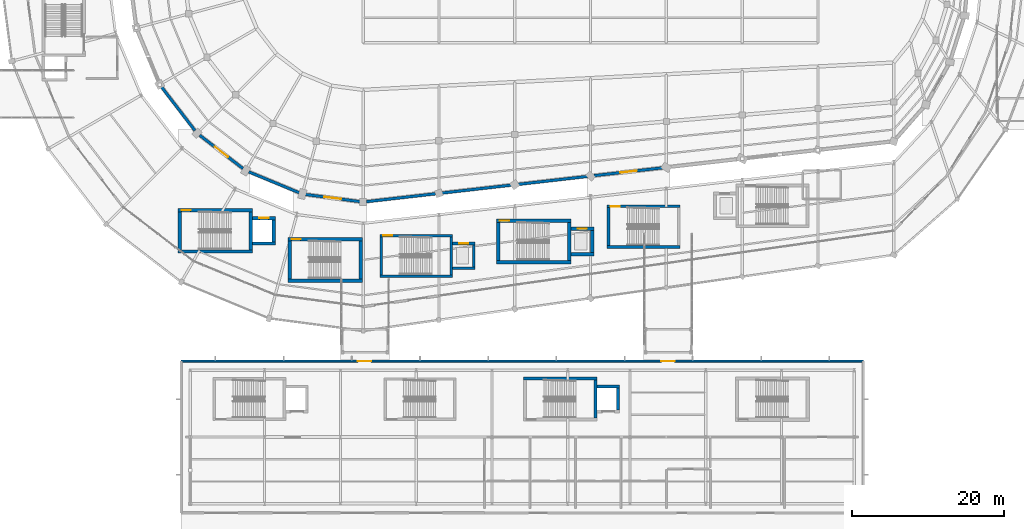
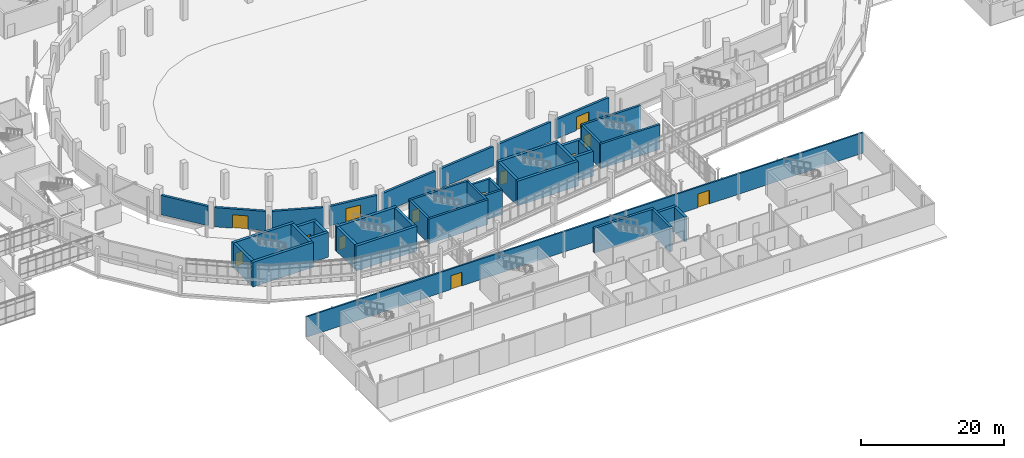
# One storey, part 102 of 122: 41 walls, 13 doors, 13 openings.
"""IFC4 building model written with IfcOpenShell, lengths in metres."""

from ifc_helpers import new_model, si_unit, direction, frame, frame_2d, origin, place, context, subcontext, project, spatial, rectangle, extrude, material, layer, layer_set, type_object, element, fill, save


model = new_model("IFC4")

# Units and contexts
model_context = context("Model", 3, precision=1e-05, world=origin(), true_north=direction((0.0, 1.0)))
body_context = subcontext(model_context, "Body", "Model", "MODEL_VIEW")
ifc_project = project(units=[si_unit("LENGTHUNIT", "METRE"), si_unit("AREAUNIT", "SQUARE_METRE"), si_unit("VOLUMEUNIT", "CUBIC_METRE"), si_unit("PLANEANGLEUNIT", "RADIAN"), si_unit("MASSUNIT", "GRAM", prefix="KILO")], contexts=[model_context])

# Site, building, storey
site_placement = place(None, origin())
site = spatial("IfcSite", under=ifc_project, at=site_placement, CompositionType="ELEMENT")
building_placement = place(site_placement, origin())
building = spatial("IfcBuilding", under=site, at=building_placement, Name="Sohan Crest Arena", CompositionType="ELEMENT")
storey_placement = place(building_placement, origin())
storey = spatial("IfcBuildingStorey", under=building, at=storey_placement, Name="L00", CompositionType="ELEMENT", Elevation=0.0)

# Wall, openings, doors
ifc_material_1 = material(Name="Margalla limestone ashlar envelope wall", Category="masonry")
ifc_layer_1 = layer(ifc_material_1, 0.260009765625, Name="Margalla limestone ashlar envelope wall")
ifc_layer_set_1 = layer_set([ifc_layer_1], Name="Margalla limestone ashlar envelope wall")
wall_type_1 = type_object("IfcWallType", Name="WAL-EW01", PredefinedType="SOLIDWALL", material=ifc_layer_set_1)
wall_1_placement = place(storey_placement, frame((164.0, 26.0, 0.0), z_axis=(0.0, 0.0, 1.0), x_axis=(-1.0, 0.0, 0.0)))
wall_1 = element("IfcWall", 1, at=wall_1_placement, inside=storey, type_object=wall_type_1, Name="External wall EW-128", PredefinedType="SOLIDWALL", context=body_context, shape_type="SweptSolid", body=[
    extrude(rectangle(XDim=90.0, YDim=0.260009765625, at=frame_2d((45.0, 0.0))), origin(), (0.0, 0.0, 1.0), 3.5),
])
opening_1_placement = place(wall_1_placement, frame((64.89990234375, 0.0, 0.0)))
opening_1 = element("IfcOpeningElement", 2, at=opening_1_placement, cuts=wall_1, Name="Opening V5B-L00-98", PredefinedType="OPENING", context=body_context, shape_type="SweptSolid", body=[
    extrude(rectangle(XDim=1.800048828125, YDim=2.35009765625, at=frame_2d((0.89990234375, 1.175048828125))), frame((0.0, 0.139892578125, 0.0), z_axis=(0.0, -1.0, 0.0), x_axis=(1.0, 0.0, 0.0)), (0.0, 0.0, 1.0), 0.280029296875),
])
opening_2_placement = place(wall_1_placement, frame((24.89990234375, 0.0, 0.0)))
opening_2 = element("IfcOpeningElement", 3, at=opening_2_placement, cuts=wall_1, Name="Opening V5B-L00-138", PredefinedType="OPENING", context=body_context, shape_type="SweptSolid", body=[
    extrude(rectangle(XDim=1.800048828125, YDim=2.35009765625, at=frame_2d((0.89990234375, 1.175048828125))), frame((0.0, 0.139892578125, 0.0), z_axis=(0.0, -1.0, 0.0), x_axis=(1.0, 0.0, 0.0)), (0.0, 0.0, 1.0), 0.280029296875),
])
ifc_material_2 = material(Name="Glazed aluminium terrace access door", Category="aluminium")
door_type_1 = type_object("IfcDoorType", Name="DR-ED01", OperationType="DOUBLE_DOOR_SINGLE_SWING", PredefinedType="DOOR", material=ifc_material_2)
door_1_placement = place(opening_1_placement, frame((1.800048828125, 0.0, 0.0), z_axis=(0.0, 0.0, 1.0), x_axis=(-1.0, 0.0, 0.0)))
door_1 = element("IfcDoor", 4, at=door_1_placement, inside=storey, type_object=door_type_1, Name="BOH bridge passage door V5B-L00-98", OperationType="DOUBLE_DOOR_SINGLE_SWING", OverallHeight=2.35009765625, OverallWidth=1.800048828125, PredefinedType="DOOR", context=body_context, shape_type="SweptSolid", body=[
    extrude(rectangle(XDim=1.800048828125, YDim=2.35009765625, at=frame_2d((0.89990234375, 1.175048828125))), frame((0.0, 0.02490234375, 0.0), z_axis=(0.0, -1.0, 0.0), x_axis=(1.0, 0.0, 0.0)), (0.0, 0.0, 1.0), 0.050048828125),
])
fill(opening_1, door_1)
door_2_placement = place(opening_2_placement, frame((1.800048828125, 0.0, 0.0), z_axis=(0.0, 0.0, 1.0), x_axis=(-1.0, 0.0, 0.0)))
door_2 = element("IfcDoor", 5, at=door_2_placement, inside=storey, type_object=door_type_1, Name="BOH bridge passage door V5B-L00-138", OperationType="DOUBLE_DOOR_SINGLE_SWING", OverallHeight=2.35009765625, OverallWidth=1.800048828125, PredefinedType="DOOR", context=body_context, shape_type="SweptSolid", body=[
    extrude(rectangle(XDim=1.800048828125, YDim=2.35009765625, at=frame_2d((0.89990234375, 1.175048828125))), frame((0.0, 0.02490234375, 0.0), z_axis=(0.0, -1.0, 0.0), x_axis=(1.0, 0.0, 0.0)), (0.0, 0.0, 1.0), 0.050048828125),
])
fill(opening_2, door_2)

# Wall
ifc_material_3 = material(Name="Acoustic insulated bowl drum enclosure wall", Category="masonry")
ifc_layer_2 = layer(ifc_material_3, 0.3701171875, Name="Acoustic insulated bowl drum enclosure wall")
ifc_layer_set_2 = layer_set([ifc_layer_2], Name="Acoustic insulated bowl drum enclosure wall")
wall_type_2 = type_object("IfcWallType", Name="WAL-EW05", PredefinedType="SOLIDWALL", material=ifc_layer_set_2)
wall_2_placement = place(storey_placement, frame((71.4208984375, 62.15087890625, 0.0), z_axis=(0.0, 0.0, 1.0), x_axis=(0.608807390719, -0.793318070515, 0.0)))
element("IfcWall", 6, at=wall_2_placement, inside=storey, type_object=wall_type_2, Name="Acoustic bowl drum wall BW-L00-09", PredefinedType="SOLIDWALL", context=body_context, shape_type="SweptSolid", body=[
    extrude(rectangle(XDim=7.212646484375, YDim=0.3701171875, at=frame_2d((3.6064453125, 0.0))), origin(), (0.0, 0.0, 1.0), 3.300048828125),
])

# Wall, opening, door
wall_3_placement = place(storey_placement, frame((76.428955078125, 55.81201171875, 0.0), z_axis=(0.0, 0.0, 1.0), x_axis=(0.793318070515, -0.608807390719, 0.0)))
wall_3 = element("IfcWall", 7, at=wall_3_placement, inside=storey, type_object=wall_type_2, Name="Acoustic bowl drum wall BW-L00-10", PredefinedType="SOLIDWALL", context=body_context, shape_type="SweptSolid", body=[
    extrude(rectangle(XDim=7.212646484375, YDim=0.3701171875, at=frame_2d((3.6064453125, 0.0))), origin(), (0.0, 0.0, 1.0), 3.300048828125),
])
opening_3_placement = place(wall_3_placement, frame((2.506103515625, 0.0, 0.0)))
opening_3 = element("IfcOpeningElement", 8, at=opening_3_placement, cuts=wall_3, Name="Opening VD-L00-10", PredefinedType="OPENING", context=body_context, shape_type="SweptSolid", body=[
    extrude(rectangle(XDim=2.199951171875, YDim=2.300048828125, at=frame_2d((1.10009765625, 1.14990234375))), frame((0.0, 0.195068359375, 0.0), z_axis=(0.0, -1.0, 0.0), x_axis=(1.0, 0.0, 0.0)), (0.0, 0.0, 1.0), 0.39013671875),
])
ifc_material_4 = material(Name="Fire-rated steel double escape door", Category="steel")
door_type_2 = type_object("IfcDoorType", Name="DR-FD01", OperationType="DOUBLE_DOOR_SINGLE_SWING", PredefinedType="DOOR", material=ifc_material_4)
door_3_placement = place(opening_3_placement, origin())
door_3 = element("IfcDoor", 9, at=door_3_placement, inside=storey, type_object=door_type_2, Name="Bowl vomitory portal fire door VD-L00-10", OperationType="DOUBLE_DOOR_SINGLE_SWING", OverallHeight=2.300048828125, OverallWidth=2.199951171875, PredefinedType="DOOR", context=body_context, shape_type="SweptSolid", body=[
    extrude(rectangle(XDim=2.199951171875, YDim=2.300048828125, at=frame_2d((1.10009765625, 1.14990234375))), frame((0.0, 0.02490234375, 0.0), z_axis=(0.0, -1.0, 0.0), x_axis=(1.0, 0.0, 0.0)), (0.0, 0.0, 1.0), 0.050048828125),
])
fill(opening_3, door_3)

# Wall
wall_4_placement = place(storey_placement, frame((82.906982421875, 50.985107421875, 0.0), z_axis=(0.0, 0.0, 1.0), x_axis=(0.923828261086, -0.382807189089, 0.0)))
element("IfcWall", 10, at=wall_4_placement, inside=storey, type_object=wall_type_2, Name="Acoustic bowl drum wall BW-L00-11", PredefinedType="SOLIDWALL", context=body_context, shape_type="SweptSolid", body=[
    extrude(rectangle(XDim=7.21240234375, YDim=0.3701171875, at=frame_2d((3.606201171875, 0.0))), origin(), (0.0, 0.0, 1.0), 3.300048828125),
])

# Wall, opening, door
wall_5_placement = place(storey_placement, frame((90.4130859375, 47.9990234375, 0.0), z_axis=(0.0, 0.0, 1.0), x_axis=(0.991432160885, -0.130622625772, 0.0)))
wall_5 = element("IfcWall", 11, at=wall_5_placement, inside=storey, type_object=wall_type_2, Name="Acoustic bowl drum wall BW-L00-12", PredefinedType="SOLIDWALL", context=body_context, shape_type="SweptSolid", body=[
    extrude(rectangle(XDim=7.212646484375, YDim=0.3701171875, at=frame_2d((3.6064453125, 0.0))), origin(), (0.0, 0.0, 1.0), 3.300048828125),
])
opening_4_placement = place(wall_5_placement, frame((2.506103515625, 0.0, 0.0)))
opening_4 = element("IfcOpeningElement", 12, at=opening_4_placement, cuts=wall_5, Name="Opening VD-L00-12", PredefinedType="OPENING", context=body_context, shape_type="SweptSolid", body=[
    extrude(rectangle(XDim=2.199951171875, YDim=2.300048828125, at=frame_2d((1.10009765625, 1.14990234375))), frame((0.0, 0.195068359375, 0.0), z_axis=(0.0, -1.0, 0.0), x_axis=(1.0, 0.0, 0.0)), (0.0, 0.0, 1.0), 0.39013671875),
])
door_4_placement = place(opening_4_placement, origin())
door_4 = element("IfcDoor", 13, at=door_4_placement, inside=storey, type_object=door_type_2, Name="Bowl vomitory portal fire door VD-L00-12", OperationType="DOUBLE_DOOR_SINGLE_SWING", OverallHeight=2.300048828125, OverallWidth=2.199951171875, PredefinedType="DOOR", context=body_context, shape_type="SweptSolid", body=[
    extrude(rectangle(XDim=2.199951171875, YDim=2.300048828125, at=frame_2d((1.10009765625, 1.14990234375))), frame((0.0, 0.02490234375, 0.0), z_axis=(0.0, -1.0, 0.0), x_axis=(1.0, 0.0, 0.0)), (0.0, 0.0, 1.0), 0.050048828125),
])
fill(opening_4, door_4)

# Walls
for number, where, z_axis, x_axis, name in (
    (14, (98.43701171875, 47.050048828125, 0.0), (0.0, 0.0, 1.0), (0.993532672656, 0.113546591161, 0.0), "Acoustic bowl drum wall BW-L00-13"),
    (15, (108.43701171875, 48.193115234375, 0.0), (0.0, 0.0, 1.0), (0.993532672656, 0.113546591161, 0.0), "Acoustic bowl drum wall BW-L00-14"),
    (16, (118.43701171875, 49.3359375, 0.0), (0.0, 0.0, 1.0), (0.993532672656, 0.113546591161, 0.0), "Acoustic bowl drum wall BW-L00-15"),
):
    element("IfcWall", number, at=place(storey_placement, frame(where, z_axis=z_axis, x_axis=x_axis)), inside=storey, type_object=wall_type_2, Name=name, PredefinedType="SOLIDWALL", context=body_context, shape_type="SweptSolid", body=[
        extrude(rectangle(XDim=9.185302734375, YDim=0.3701171875, at=frame_2d((4.5927734375, 0.0))), origin(), (0.0, 0.0, 1.0), 3.300048828125),
    ])

# Wall, opening, door
wall_6_placement = place(storey_placement, frame((128.43701171875, 50.47900390625, 0.0), z_axis=(0.0, 0.0, 1.0), x_axis=(0.993544661122, 0.113441642955, 0.0)))
wall_6 = element("IfcWall", 17, at=wall_6_placement, inside=storey, type_object=wall_type_2, Name="Acoustic bowl drum wall BW-L00-16", PredefinedType="SOLIDWALL", context=body_context, shape_type="SweptSolid", body=[
    extrude(rectangle(XDim=9.185302734375, YDim=0.3701171875, at=frame_2d((4.5927734375, 0.0))), origin(), (0.0, 0.0, 1.0), 3.300048828125),
])
opening_5_placement = place(wall_6_placement, frame((3.492919921875, 0.0, 0.0)))
opening_5 = element("IfcOpeningElement", 18, at=opening_5_placement, cuts=wall_6, Name="Opening VD-L00-16", PredefinedType="OPENING", context=body_context, shape_type="SweptSolid", body=[
    extrude(rectangle(XDim=2.199951171875, YDim=2.300048828125, at=frame_2d((1.10009765625, 1.14990234375))), frame((0.0, 0.195068359375, 0.0), z_axis=(0.0, -1.0, 0.0), x_axis=(1.0, 0.0, 0.0)), (0.0, 0.0, 1.0), 0.39013671875),
])
door_5_placement = place(opening_5_placement, origin())
door_5 = element("IfcDoor", 19, at=door_5_placement, inside=storey, type_object=door_type_2, Name="Bowl vomitory portal fire door VD-L00-16", OperationType="DOUBLE_DOOR_SINGLE_SWING", OverallHeight=2.300048828125, OverallWidth=2.199951171875, PredefinedType="DOOR", context=body_context, shape_type="SweptSolid", body=[
    extrude(rectangle(XDim=2.199951171875, YDim=2.300048828125, at=frame_2d((1.10009765625, 1.14990234375))), frame((0.0, 0.02490234375, 0.0), z_axis=(0.0, -1.0, 0.0), x_axis=(1.0, 0.0, 0.0)), (0.0, 0.0, 1.0), 0.050048828125),
])
fill(opening_5, door_5)

# Walls
ifc_material_5 = material(Name="Concrete C40/50", Category="concrete")
ifc_layer_3 = layer(ifc_material_5, 0.35009765625, Name="Concrete C40/50")
ifc_layer_set_3 = layer_set([ifc_layer_3], Name="Concrete C40/50")
wall_type_3 = type_object("IfcWallType", Name="WAL-SW02", PredefinedType="SHEAR", material=ifc_layer_set_3)
for number, where, z_axis, x_axis, name in (
    (20, (100.375, 37.39990234375, 0.0), (0.0, 0.0, 1.0), (0.0, 1.0, 0.0), "Core shear wall SW-0243"),
    (21, (109.625, 37.39990234375, 0.0), (0.0, 0.0, 1.0), (0.0, 1.0, 0.0), "Core shear wall SW-0244"),
):
    element("IfcWall", number, at=place(storey_placement, frame(where, z_axis=z_axis, x_axis=x_axis)), inside=storey, type_object=wall_type_3, Name=name, PredefinedType="SHEAR", context=body_context, shape_type="SweptSolid", body=[
        extrude(rectangle(XDim=5.0, YDim=0.35009765625, at=frame_2d((2.5, 0.0))), origin(), (0.0, 0.0, 1.0), 4.22509765625),
    ])
wall_7_placement = place(storey_placement, frame((100.199951171875, 37.22509765625, 0.0), z_axis=(0.0, 0.0, 1.0), x_axis=(1.0, 0.0, 0.0)))
element("IfcWall", 22, at=wall_7_placement, inside=storey, type_object=wall_type_3, Name="Core shear wall SW-0245", PredefinedType="SHEAR", context=body_context, shape_type="SweptSolid", body=[
    extrude(rectangle(XDim=9.60009765625, YDim=0.35009765625, at=frame_2d((4.800048828125, 0.0))), origin(), (0.0, 0.0, 1.0), 4.22509765625),
])

# Wall, opening, door
wall_8_placement = place(storey_placement, frame((100.199951171875, 42.574951171875, 0.0), z_axis=(0.0, 0.0, 1.0), x_axis=(1.0, 0.0, 0.0)))
wall_8 = element("IfcWall", 23, at=wall_8_placement, inside=storey, type_object=wall_type_3, Name="Core shear wall SW-0246", PredefinedType="SHEAR", context=body_context, shape_type="SweptSolid", body=[
    extrude(rectangle(XDim=9.60009765625, YDim=0.35009765625, at=frame_2d((4.800048828125, 0.0))), origin(), (0.0, 0.0, 1.0), 4.22509765625),
])
opening_6_placement = place(wall_8_placement, frame((0.449951171875, 0.0, 0.0)))
opening_6 = element("IfcOpeningElement", 24, at=opening_6_placement, cuts=wall_8, Name="Opening SD-0071", PredefinedType="OPENING", context=body_context, shape_type="SweptSolid", body=[
    extrude(rectangle(XDim=1.199951171875, YDim=2.199951171875, at=frame_2d((0.60009765625, 1.10009765625))), frame((0.0, 0.18505859375, 0.0), z_axis=(0.0, -1.0, 0.0), x_axis=(1.0, 0.0, 0.0)), (0.0, 0.0, 1.0), 0.3701171875),
])
ifc_material_6 = material(Name="Fire-rated steel stair and lobby door", Category="steel")
door_type_3 = type_object("IfcDoorType", Name="DR-FD04", OperationType="NOTDEFINED", PredefinedType="DOOR", material=ifc_material_6)
door_6_placement = place(opening_6_placement, origin())
door_6 = element("IfcDoor", 25, at=door_6_placement, inside=storey, type_object=door_type_3, Name="Protected stair door SD-0071", OperationType="SINGLE_SWING_LEFT", OverallHeight=2.199951171875, OverallWidth=1.199951171875, PredefinedType="DOOR", context=body_context, shape_type="SweptSolid", body=[
    extrude(rectangle(XDim=1.199951171875, YDim=2.199951171875, at=frame_2d((0.60009765625, 1.10009765625))), frame((0.0, 0.02490234375, 0.0), z_axis=(0.0, -1.0, 0.0), x_axis=(1.0, 0.0, 0.0)), (0.0, 0.0, 1.0), 0.050048828125),
])
fill(opening_6, door_6)

# Walls
wall_9_placement = place(storey_placement, frame((112.574951171875, 38.449951171875, 0.0), z_axis=(0.0, 0.0, 1.0), x_axis=(0.0, 1.0, 0.0)))
element("IfcWall", 26, at=wall_9_placement, inside=storey, type_object=wall_type_3, Name="Core shear wall SW-0247", PredefinedType="SHEAR", context=body_context, shape_type="SweptSolid", body=[
    extrude(rectangle(XDim=2.900146484375, YDim=0.35009765625, at=frame_2d((1.4501953125, 0.0))), origin(), (0.0, 0.0, 1.0), 4.22509765625),
])
wall_10_placement = place(storey_placement, frame((109.800048828125, 38.27490234375, 0.0), z_axis=(0.0, 0.0, 1.0), x_axis=(1.0, 0.0, 0.0)))
element("IfcWall", 27, at=wall_10_placement, inside=storey, type_object=wall_type_3, Name="Core shear wall SW-0248", PredefinedType="SHEAR", context=body_context, shape_type="SweptSolid", body=[
    extrude(rectangle(XDim=2.949951171875, YDim=0.35009765625, at=frame_2d((1.47509765625, 0.0))), origin(), (0.0, 0.0, 1.0), 4.22509765625),
])

# Wall, opening, door
wall_11_placement = place(storey_placement, frame((109.800048828125, 41.52490234375, 0.0), z_axis=(0.0, 0.0, 1.0), x_axis=(1.0, 0.0, 0.0)))
wall_11 = element("IfcWall", 28, at=wall_11_placement, inside=storey, type_object=wall_type_3, Name="Core shear wall SW-0249", PredefinedType="SHEAR", context=body_context, shape_type="SweptSolid", body=[
    extrude(rectangle(XDim=2.949951171875, YDim=0.35009765625, at=frame_2d((1.47509765625, 0.0))), origin(), (0.0, 0.0, 1.0), 4.22509765625),
])
opening_7_placement = place(wall_11_placement, frame((0.875, 0.0, 0.0)))
opening_7 = element("IfcOpeningElement", 29, at=opening_7_placement, cuts=wall_11, Name="Opening LD-LP03-L00", PredefinedType="OPENING", context=body_context, shape_type="SweptSolid", body=[
    extrude(rectangle(XDim=1.199951171875, YDim=2.199951171875, at=frame_2d((0.60009765625, 1.10009765625))), frame((0.0, 0.18505859375, 0.0), z_axis=(0.0, -1.0, 0.0), x_axis=(1.0, 0.0, 0.0)), (0.0, 0.0, 1.0), 0.3701171875),
])
ifc_material_7 = material(Name="Stainless steel passenger lift landing door", Category="steel")
door_type_4 = type_object("IfcDoorType", Name="DR-LD02", OperationType="SLIDING_TO_LEFT", PredefinedType="DOOR", material=ifc_material_7)
door_7_placement = place(opening_7_placement, origin())
door_7 = element("IfcDoor", 30, at=door_7_placement, inside=storey, type_object=door_type_4, Name="Sliding lift landing door LD-LP03-L00", OperationType="SLIDING_TO_LEFT", OverallHeight=2.199951171875, OverallWidth=1.199951171875, PredefinedType="DOOR", context=body_context, shape_type="SweptSolid", body=[
    extrude(rectangle(XDim=1.199951171875, YDim=2.199951171875, at=frame_2d((0.60009765625, 1.10009765625))), frame((0.0, 0.02490234375, 0.0), z_axis=(0.0, -1.0, 0.0), x_axis=(1.0, 0.0, 0.0)), (0.0, 0.0, 1.0), 0.050048828125),
])
fill(opening_7, door_7)

# Walls
wall_12_placement = place(storey_placement, frame((130.375, 41.25, 0.0), z_axis=(0.0, 0.0, 1.0), x_axis=(0.0, 1.0, 0.0)))
element("IfcWall", 31, at=wall_12_placement, inside=storey, type_object=wall_type_3, Name="Core shear wall SW-0785", PredefinedType="SHEAR", context=body_context, shape_type="SweptSolid", body=[
    extrude(rectangle(XDim=5.0, YDim=0.35009765625, at=frame_2d((2.5, 0.0))), origin(), (0.0, 0.0, 1.0), 4.22509765625),
])
wall_13_placement = place(storey_placement, frame((130.199951171875, 41.074951171875, 0.0), z_axis=(0.0, 0.0, 1.0), x_axis=(1.0, 0.0, 0.0)))
element("IfcWall", 32, at=wall_13_placement, inside=storey, type_object=wall_type_3, Name="Core shear wall SW-0787", PredefinedType="SHEAR", context=body_context, shape_type="SweptSolid", body=[
    extrude(rectangle(XDim=9.60009765625, YDim=0.35009765625, at=frame_2d((4.800048828125, 0.0))), origin(), (0.0, 0.0, 1.0), 4.22509765625),
])

# Wall, opening, door
wall_14_placement = place(storey_placement, frame((130.199951171875, 46.425048828125, 0.0), z_axis=(0.0, 0.0, 1.0), x_axis=(1.0, 0.0, 0.0)))
wall_14 = element("IfcWall", 33, at=wall_14_placement, inside=storey, type_object=wall_type_3, Name="Core shear wall SW-0788", PredefinedType="SHEAR", context=body_context, shape_type="SweptSolid", body=[
    extrude(rectangle(XDim=9.60009765625, YDim=0.35009765625, at=frame_2d((4.800048828125, 0.0))), origin(), (0.0, 0.0, 1.0), 4.22509765625),
])
opening_8_placement = place(wall_14_placement, frame((0.449951171875, 0.0, 0.0)))
opening_8 = element("IfcOpeningElement", 34, at=opening_8_placement, cuts=wall_14, Name="Opening SD-0212", PredefinedType="OPENING", context=body_context, shape_type="SweptSolid", body=[
    extrude(rectangle(XDim=1.199951171875, YDim=2.199951171875, at=frame_2d((0.60009765625, 1.10009765625))), frame((0.0, 0.18505859375, 0.0), z_axis=(0.0, -1.0, 0.0), x_axis=(1.0, 0.0, 0.0)), (0.0, 0.0, 1.0), 0.3701171875),
])
door_8_placement = place(opening_8_placement, origin())
door_8 = element("IfcDoor", 35, at=door_8_placement, inside=storey, type_object=door_type_3, Name="Protected stair door SD-0212", OperationType="SINGLE_SWING_RIGHT", OverallHeight=2.199951171875, OverallWidth=1.199951171875, PredefinedType="DOOR", context=body_context, shape_type="SweptSolid", body=[
    extrude(rectangle(XDim=1.199951171875, YDim=2.199951171875, at=frame_2d((0.60009765625, 1.10009765625))), frame((0.0, 0.02490234375, 0.0), z_axis=(0.0, -1.0, 0.0), x_axis=(1.0, 0.0, 0.0)), (0.0, 0.0, 1.0), 0.050048828125),
])
fill(opening_8, door_8)

# Walls
ifc_layer_4 = layer(ifc_material_5, 0.39990234375, Name="Concrete C40/50")
ifc_layer_set_4 = layer_set([ifc_layer_4], Name="Concrete C40/50")
wall_type_4 = type_object("IfcWallType", Name="WAL-SW03", PredefinedType="SHEAR", material=ifc_layer_set_4)
wall_15_placement = place(storey_placement, frame((128.64990234375, 18.5, 0.0), z_axis=(0.0, 0.0, 1.0), x_axis=(0.0, 1.0, 0.0)))
element("IfcWall", 36, at=wall_15_placement, inside=storey, type_object=wall_type_4, Name="Core shear wall SW-0699", PredefinedType="SHEAR", context=body_context, shape_type="SweptSolid", body=[
    extrude(rectangle(XDim=5.0, YDim=0.39990234375, at=frame_2d((2.5, 0.0))), origin(), (0.0, 0.0, 1.0), 4.25),
])
wall_16_placement = place(storey_placement, frame((119.14990234375, 23.699951171875, 0.0), z_axis=(0.0, 0.0, 1.0), x_axis=(1.0, 0.0, 0.0)))
element("IfcWall", 37, at=wall_16_placement, inside=storey, type_object=wall_type_4, Name="Core shear wall SW-0701", PredefinedType="SHEAR", context=body_context, shape_type="SweptSolid", body=[
    extrude(rectangle(XDim=9.7001953125, YDim=0.39990234375, at=frame_2d((4.85009765625, 0.0))), origin(), (0.0, 0.0, 1.0), 4.25),
])
wall_17_placement = place(storey_placement, frame((131.64990234375, 19.550048828125, 0.0), z_axis=(0.0, 0.0, 1.0), x_axis=(0.0, 1.0, 0.0)))
element("IfcWall", 38, at=wall_17_placement, inside=storey, type_object=wall_type_4, Name="Core shear wall SW-0702", PredefinedType="SHEAR", context=body_context, shape_type="SweptSolid", body=[
    extrude(rectangle(XDim=2.89990234375, YDim=0.39990234375, at=frame_2d((1.449951171875, 0.0))), origin(), (0.0, 0.0, 1.0), 4.25),
])
wall_18_placement = place(storey_placement, frame((128.85009765625, 22.64990234375, 0.0), z_axis=(0.0, 0.0, 1.0), x_axis=(1.0, 0.0, 0.0)))
element("IfcWall", 39, at=wall_18_placement, inside=storey, type_object=wall_type_4, Name="Core shear wall SW-0704", PredefinedType="SHEAR", context=body_context, shape_type="SweptSolid", body=[
    extrude(rectangle(XDim=3.0, YDim=0.39990234375, at=frame_2d((1.5, 0.0))), origin(), (0.0, 0.0, 1.0), 4.25),
])
ifc_layer_5 = layer(ifc_material_5, 0.449951171875, Name="Concrete C40/50")
ifc_layer_set_5 = layer_set([ifc_layer_5], Name="Concrete C40/50")
wall_type_5 = type_object("IfcWallType", Name="WAL-SW04", PredefinedType="SHEAR", material=ifc_layer_set_5)
for number, where, z_axis, x_axis, name in (
    (40, (73.824951171875, 40.699951171875, 0.0), (0.0, 0.0, 1.0), (0.0, 1.0, 0.0), "Core shear wall SW-0148"),
    (41, (83.175048828125, 40.699951171875, 0.0), (0.0, 0.0, 1.0), (0.0, 1.0, 0.0), "Core shear wall SW-0149"),
):
    element("IfcWall", number, at=place(storey_placement, frame(where, z_axis=z_axis, x_axis=x_axis)), inside=storey, type_object=wall_type_5, Name=name, PredefinedType="SHEAR", context=body_context, shape_type="SweptSolid", body=[
        extrude(rectangle(XDim=5.0, YDim=0.449951171875, at=frame_2d((2.5, 0.0))), origin(), (0.0, 0.0, 1.0), 4.22509765625),
    ])
wall_19_placement = place(storey_placement, frame((73.60009765625, 40.47509765625, 0.0), z_axis=(0.0, 0.0, 1.0), x_axis=(1.0, 0.0, 0.0)))
element("IfcWall", 42, at=wall_19_placement, inside=storey, type_object=wall_type_5, Name="Core shear wall SW-0150", PredefinedType="SHEAR", context=body_context, shape_type="SweptSolid", body=[
    extrude(rectangle(XDim=9.7998046875, YDim=0.449951171875, at=frame_2d((4.89990234375, 0.0))), origin(), (0.0, 0.0, 1.0), 4.22509765625),
])

# Wall, opening, door
wall_20_placement = place(storey_placement, frame((73.60009765625, 45.925048828125, 0.0), z_axis=(0.0, 0.0, 1.0), x_axis=(1.0, 0.0, 0.0)))
wall_20 = element("IfcWall", 43, at=wall_20_placement, inside=storey, type_object=wall_type_5, Name="Core shear wall SW-0151", PredefinedType="SHEAR", context=body_context, shape_type="SweptSolid", body=[
    extrude(rectangle(XDim=9.7998046875, YDim=0.449951171875, at=frame_2d((4.89990234375, 0.0))), origin(), (0.0, 0.0, 1.0), 4.22509765625),
])
opening_9_placement = place(wall_20_placement, frame((0.449951171875, 0.0, 0.0)))
opening_9 = element("IfcOpeningElement", 44, at=opening_9_placement, cuts=wall_20, Name="Opening SD-0045", PredefinedType="OPENING", context=body_context, shape_type="SweptSolid", body=[
    extrude(rectangle(XDim=1.199951171875, YDim=2.199951171875, at=frame_2d((0.60009765625, 1.10009765625))), frame((0.0, 0.23486328125, 0.0), z_axis=(0.0, -1.0, 0.0), x_axis=(1.0, 0.0, 0.0)), (0.0, 0.0, 1.0), 0.469970703125),
])
door_9_placement = place(opening_9_placement, origin())
door_9 = element("IfcDoor", 45, at=door_9_placement, inside=storey, type_object=door_type_3, Name="Protected stair door SD-0045", OperationType="SINGLE_SWING_RIGHT", OverallHeight=2.199951171875, OverallWidth=1.199951171875, PredefinedType="DOOR", context=body_context, shape_type="SweptSolid", body=[
    extrude(rectangle(XDim=1.199951171875, YDim=2.199951171875, at=frame_2d((0.60009765625, 1.10009765625))), frame((0.0, 0.02490234375, 0.0), z_axis=(0.0, -1.0, 0.0), x_axis=(1.0, 0.0, 0.0)), (0.0, 0.0, 1.0), 0.050048828125),
])
fill(opening_9, door_9)

# Walls
wall_21_placement = place(storey_placement, frame((86.22509765625, 41.75, 0.0), z_axis=(0.0, 0.0, 1.0), x_axis=(0.0, 1.0, 0.0)))
element("IfcWall", 46, at=wall_21_placement, inside=storey, type_object=wall_type_5, Name="Core shear wall SW-0152", PredefinedType="SHEAR", context=body_context, shape_type="SweptSolid", body=[
    extrude(rectangle(XDim=2.89990234375, YDim=0.449951171875, at=frame_2d((1.449951171875, 0.0))), origin(), (0.0, 0.0, 1.0), 4.22509765625),
])
wall_22_placement = place(storey_placement, frame((83.39990234375, 41.52490234375, 0.0), z_axis=(0.0, 0.0, 1.0), x_axis=(1.0, 0.0, 0.0)))
element("IfcWall", 47, at=wall_22_placement, inside=storey, type_object=wall_type_5, Name="Core shear wall SW-0153", PredefinedType="SHEAR", context=body_context, shape_type="SweptSolid", body=[
    extrude(rectangle(XDim=3.050048828125, YDim=0.449951171875, at=frame_2d((1.52490234375, 0.0))), origin(), (0.0, 0.0, 1.0), 4.22509765625),
])

# Wall, opening, door
wall_23_placement = place(storey_placement, frame((83.39990234375, 44.875, 0.0), z_axis=(0.0, 0.0, 1.0), x_axis=(1.0, 0.0, 0.0)))
wall_23 = element("IfcWall", 48, at=wall_23_placement, inside=storey, type_object=wall_type_5, Name="Core shear wall SW-0154", PredefinedType="SHEAR", context=body_context, shape_type="SweptSolid", body=[
    extrude(rectangle(XDim=3.050048828125, YDim=0.449951171875, at=frame_2d((1.52490234375, 0.0))), origin(), (0.0, 0.0, 1.0), 4.22509765625),
])
opening_10_placement = place(wall_23_placement, frame((0.925048828125, 0.0, 0.0)))
opening_10 = element("IfcOpeningElement", 49, at=opening_10_placement, cuts=wall_23, Name="Opening LD-LP01-L00", PredefinedType="OPENING", context=body_context, shape_type="SweptSolid", body=[
    extrude(rectangle(XDim=1.199951171875, YDim=2.199951171875, at=frame_2d((0.60009765625, 1.10009765625))), frame((0.0, 0.23486328125, 0.0), z_axis=(0.0, -1.0, 0.0), x_axis=(1.0, 0.0, 0.0)), (0.0, 0.0, 1.0), 0.469970703125),
])
door_10_placement = place(opening_10_placement, origin())
door_10 = element("IfcDoor", 50, at=door_10_placement, inside=storey, type_object=door_type_4, Name="Sliding lift landing door LD-LP01-L00", OperationType="SLIDING_TO_LEFT", OverallHeight=2.199951171875, OverallWidth=1.199951171875, PredefinedType="DOOR", context=body_context, shape_type="SweptSolid", body=[
    extrude(rectangle(XDim=1.199951171875, YDim=2.199951171875, at=frame_2d((0.60009765625, 1.10009765625))), frame((0.0, 0.02490234375, 0.0), z_axis=(0.0, -1.0, 0.0), x_axis=(1.0, 0.0, 0.0)), (0.0, 0.0, 1.0), 0.050048828125),
])
fill(opening_10, door_10)

# Walls
for number, where, z_axis, x_axis, name in (
    (51, (115.824951171875, 39.300048828125, 0.0), (0.0, 0.0, 1.0), (0.0, 1.0, 0.0), "Core shear wall SW-0335"),
    (52, (125.175048828125, 39.300048828125, 0.0), (0.0, 0.0, 1.0), (0.0, 1.0, 0.0), "Core shear wall SW-0336"),
):
    element("IfcWall", number, at=place(storey_placement, frame(where, z_axis=z_axis, x_axis=x_axis)), inside=storey, type_object=wall_type_5, Name=name, PredefinedType="SHEAR", context=body_context, shape_type="SweptSolid", body=[
        extrude(rectangle(XDim=5.0, YDim=0.449951171875, at=frame_2d((2.5, 0.0))), origin(), (0.0, 0.0, 1.0), 4.22509765625),
    ])
wall_24_placement = place(storey_placement, frame((115.60009765625, 39.074951171875, 0.0), z_axis=(0.0, 0.0, 1.0), x_axis=(1.0, 0.0, 0.0)))
element("IfcWall", 53, at=wall_24_placement, inside=storey, type_object=wall_type_5, Name="Core shear wall SW-0337", PredefinedType="SHEAR", context=body_context, shape_type="SweptSolid", body=[
    extrude(rectangle(XDim=9.7998046875, YDim=0.449951171875, at=frame_2d((4.89990234375, 0.0))), origin(), (0.0, 0.0, 1.0), 4.22509765625),
])

# Wall, opening, door
wall_25_placement = place(storey_placement, frame((115.60009765625, 44.52490234375, 0.0), z_axis=(0.0, 0.0, 1.0), x_axis=(1.0, 0.0, 0.0)))
wall_25 = element("IfcWall", 54, at=wall_25_placement, inside=storey, type_object=wall_type_5, Name="Core shear wall SW-0338", PredefinedType="SHEAR", context=body_context, shape_type="SweptSolid", body=[
    extrude(rectangle(XDim=9.7998046875, YDim=0.449951171875, at=frame_2d((4.89990234375, 0.0))), origin(), (0.0, 0.0, 1.0), 4.22509765625),
])
opening_11_placement = place(wall_25_placement, frame((0.449951171875, 0.0, 0.0)))
opening_11 = element("IfcOpeningElement", 55, at=opening_11_placement, cuts=wall_25, Name="Opening SD-0095", PredefinedType="OPENING", context=body_context, shape_type="SweptSolid", body=[
    extrude(rectangle(XDim=1.199951171875, YDim=2.199951171875, at=frame_2d((0.60009765625, 1.10009765625))), frame((0.0, 0.23486328125, 0.0), z_axis=(0.0, -1.0, 0.0), x_axis=(1.0, 0.0, 0.0)), (0.0, 0.0, 1.0), 0.469970703125),
])
door_11_placement = place(opening_11_placement, origin())
door_11 = element("IfcDoor", 56, at=door_11_placement, inside=storey, type_object=door_type_3, Name="Protected stair door SD-0095", OperationType="SINGLE_SWING_LEFT", OverallHeight=2.199951171875, OverallWidth=1.199951171875, PredefinedType="DOOR", context=body_context, shape_type="SweptSolid", body=[
    extrude(rectangle(XDim=1.199951171875, YDim=2.199951171875, at=frame_2d((0.60009765625, 1.10009765625))), frame((0.0, 0.02490234375, 0.0), z_axis=(0.0, -1.0, 0.0), x_axis=(1.0, 0.0, 0.0)), (0.0, 0.0, 1.0), 0.050048828125),
])
fill(opening_11, door_11)

# Walls
wall_26_placement = place(storey_placement, frame((128.22509765625, 40.35009765625, 0.0), z_axis=(0.0, 0.0, 1.0), x_axis=(0.0, 1.0, 0.0)))
element("IfcWall", 57, at=wall_26_placement, inside=storey, type_object=wall_type_5, Name="Core shear wall SW-0339", PredefinedType="SHEAR", context=body_context, shape_type="SweptSolid", body=[
    extrude(rectangle(XDim=2.89990234375, YDim=0.449951171875, at=frame_2d((1.449951171875, 0.0))), origin(), (0.0, 0.0, 1.0), 4.22509765625),
])
wall_27_placement = place(storey_placement, frame((125.39990234375, 40.125, 0.0), z_axis=(0.0, 0.0, 1.0), x_axis=(1.0, 0.0, 0.0)))
element("IfcWall", 58, at=wall_27_placement, inside=storey, type_object=wall_type_5, Name="Core shear wall SW-0340", PredefinedType="SHEAR", context=body_context, shape_type="SweptSolid", body=[
    extrude(rectangle(XDim=3.050048828125, YDim=0.449951171875, at=frame_2d((1.52490234375, 0.0))), origin(), (0.0, 0.0, 1.0), 4.22509765625),
])

# Wall, opening, door
wall_28_placement = place(storey_placement, frame((125.39990234375, 43.47509765625, 0.0), z_axis=(0.0, 0.0, 1.0), x_axis=(1.0, 0.0, 0.0)))
wall_28 = element("IfcWall", 59, at=wall_28_placement, inside=storey, type_object=wall_type_5, Name="Core shear wall SW-0341", PredefinedType="SHEAR", context=body_context, shape_type="SweptSolid", body=[
    extrude(rectangle(XDim=3.050048828125, YDim=0.449951171875, at=frame_2d((1.52490234375, 0.0))), origin(), (0.0, 0.0, 1.0), 4.22509765625),
])
opening_12_placement = place(wall_28_placement, frame((0.925048828125, 0.0, 0.0)))
opening_12 = element("IfcOpeningElement", 60, at=opening_12_placement, cuts=wall_28, Name="Opening LD-LP05-L00", PredefinedType="OPENING", context=body_context, shape_type="SweptSolid", body=[
    extrude(rectangle(XDim=1.199951171875, YDim=2.199951171875, at=frame_2d((0.60009765625, 1.10009765625))), frame((0.0, 0.23486328125, 0.0), z_axis=(0.0, -1.0, 0.0), x_axis=(1.0, 0.0, 0.0)), (0.0, 0.0, 1.0), 0.469970703125),
])
door_12_placement = place(opening_12_placement, origin())
door_12 = element("IfcDoor", 61, at=door_12_placement, inside=storey, type_object=door_type_4, Name="Sliding lift landing door LD-LP05-L00", OperationType="SLIDING_TO_LEFT", OverallHeight=2.199951171875, OverallWidth=1.199951171875, PredefinedType="DOOR", context=body_context, shape_type="SweptSolid", body=[
    extrude(rectangle(XDim=1.199951171875, YDim=2.199951171875, at=frame_2d((0.60009765625, 1.10009765625))), frame((0.0, 0.02490234375, 0.0), z_axis=(0.0, -1.0, 0.0), x_axis=(1.0, 0.0, 0.0)), (0.0, 0.0, 1.0), 0.050048828125),
])
fill(opening_12, door_12)

# Walls
for number, where, z_axis, x_axis, name in (
    (62, (88.324951171875, 36.860107421875, 0.0), (0.0, 0.0, 1.0), (0.0, 1.0, 0.0), "Core shear wall SW-0737"),
    (63, (97.675048828125, 36.860107421875, 0.0), (0.0, 0.0, 1.0), (0.0, 1.0, 0.0), "Core shear wall SW-0738"),
):
    element("IfcWall", number, at=place(storey_placement, frame(where, z_axis=z_axis, x_axis=x_axis)), inside=storey, type_object=wall_type_5, Name=name, PredefinedType="SHEAR", context=body_context, shape_type="SweptSolid", body=[
        extrude(rectangle(XDim=5.0, YDim=0.449951171875, at=frame_2d((2.5, 0.0))), origin(), (0.0, 0.0, 1.0), 4.22509765625),
    ])
wall_29_placement = place(storey_placement, frame((88.10009765625, 36.635009765625, 0.0), z_axis=(0.0, 0.0, 1.0), x_axis=(1.0, 0.0, 0.0)))
element("IfcWall", 64, at=wall_29_placement, inside=storey, type_object=wall_type_5, Name="Core shear wall SW-0739", PredefinedType="SHEAR", context=body_context, shape_type="SweptSolid", body=[
    extrude(rectangle(XDim=9.7998046875, YDim=0.449951171875, at=frame_2d((4.89990234375, 0.0))), origin(), (0.0, 0.0, 1.0), 4.22509765625),
])

# Wall, opening, door
wall_30_placement = place(storey_placement, frame((88.10009765625, 42.0849609375, 0.0), z_axis=(0.0, 0.0, 1.0), x_axis=(1.0, 0.0, 0.0)))
wall_30 = element("IfcWall", 65, at=wall_30_placement, inside=storey, type_object=wall_type_5, Name="Core shear wall SW-0740", PredefinedType="SHEAR", context=body_context, shape_type="SweptSolid", body=[
    extrude(rectangle(XDim=9.7998046875, YDim=0.449951171875, at=frame_2d((4.89990234375, 0.0))), origin(), (0.0, 0.0, 1.0), 4.22509765625),
])
opening_13_placement = place(wall_30_placement, frame((0.449951171875, 0.0, 0.0)))
opening_13 = element("IfcOpeningElement", 66, at=opening_13_placement, cuts=wall_30, Name="Opening SD-0200", PredefinedType="OPENING", context=body_context, shape_type="SweptSolid", body=[
    extrude(rectangle(XDim=1.199951171875, YDim=2.199951171875, at=frame_2d((0.60009765625, 1.10009765625))), frame((0.0, 0.23486328125, 0.0), z_axis=(0.0, -1.0, 0.0), x_axis=(1.0, 0.0, 0.0)), (0.0, 0.0, 1.0), 0.469970703125),
])
door_13_placement = place(opening_13_placement, origin())
door_13 = element("IfcDoor", 67, at=door_13_placement, inside=storey, type_object=door_type_3, Name="Protected stair door SD-0200", OperationType="SINGLE_SWING_RIGHT", OverallHeight=2.199951171875, OverallWidth=1.199951171875, PredefinedType="DOOR", context=body_context, shape_type="SweptSolid", body=[
    extrude(rectangle(XDim=1.199951171875, YDim=2.199951171875, at=frame_2d((0.60009765625, 1.10009765625))), frame((0.0, 0.02490234375, 0.0), z_axis=(0.0, -1.0, 0.0), x_axis=(1.0, 0.0, 0.0)), (0.0, 0.0, 1.0), 0.050048828125),
])
fill(opening_13, door_13)

save(model, "model.ifc")
